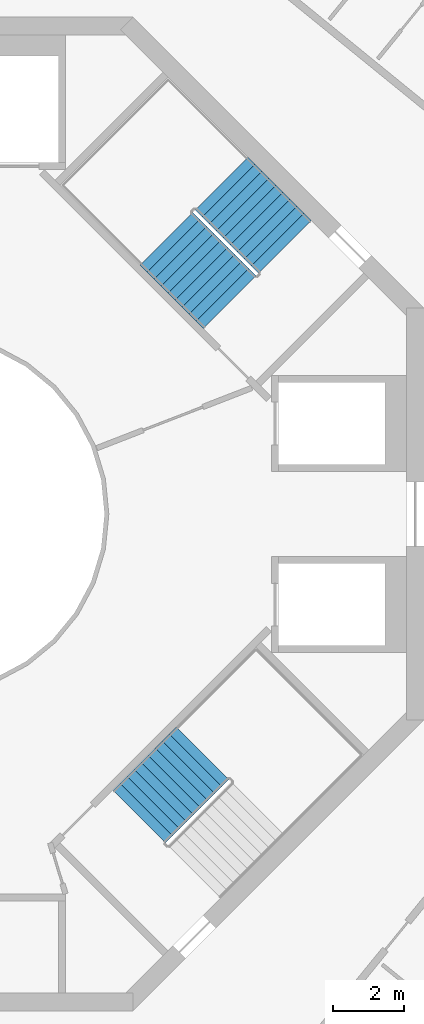
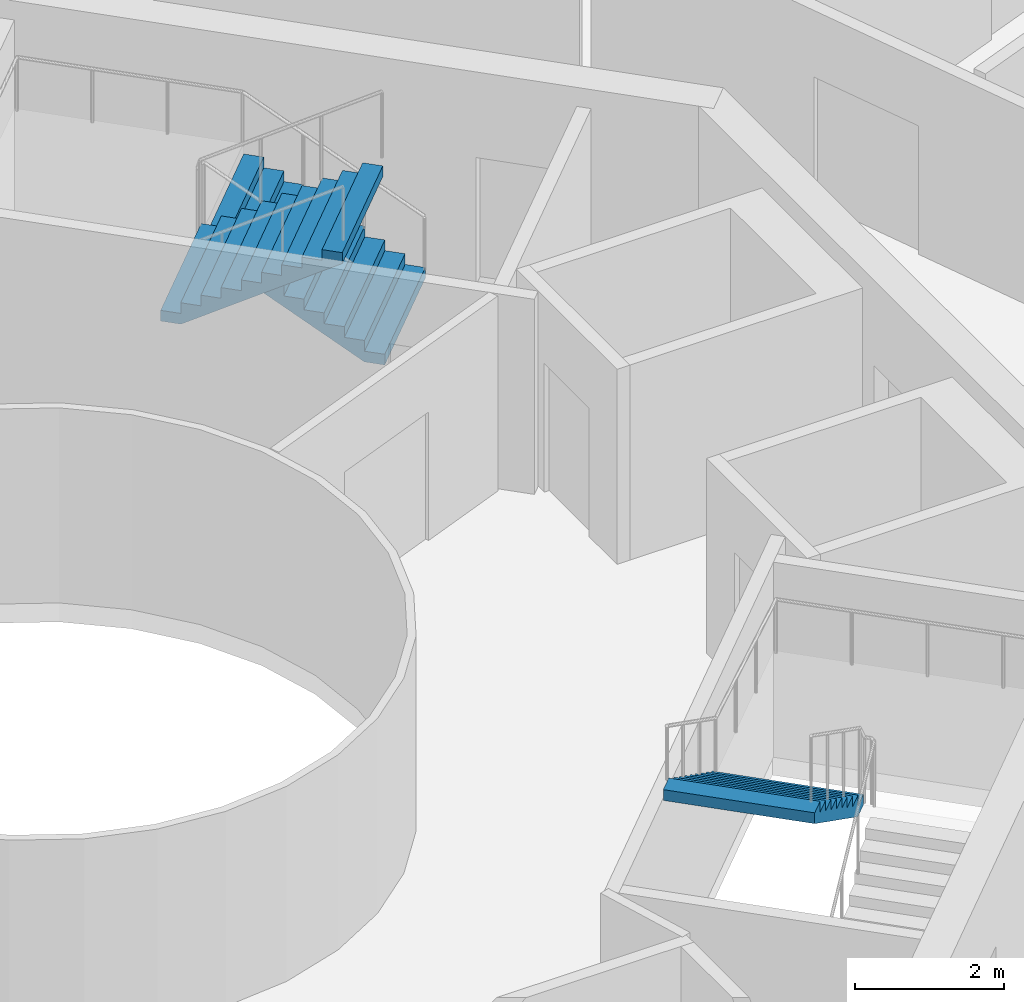
# One storey, part 22 of 23: 3 stair flights, 2 elements without a shape of their own.
"""IFC4 building model written with IfcOpenShell, lengths in metres."""

from ifc_helpers import new_model, si_unit, direction, frame, origin, place, context, subcontext, project, spatial, triangles, material, type_object, element, aggregate, save


model = new_model("IFC4")

# Units and contexts
model_context = context("Model", 3, precision=1e-05, world=origin(), true_north=direction((0.0, 1.0)))
body_context = subcontext(model_context, "Body", "Model", "MODEL_VIEW")
ifc_project = project(units=[si_unit("LENGTHUNIT", "METRE"), si_unit("AREAUNIT", "SQUARE_METRE"), si_unit("VOLUMEUNIT", "CUBIC_METRE"), si_unit("PLANEANGLEUNIT", "RADIAN"), si_unit("MASSUNIT", "GRAM", prefix="KILO")], contexts=[model_context])

# Site, building, storey
site_placement = place(None, origin())
site = spatial("IfcSite", under=ifc_project, at=site_placement, CompositionType="ELEMENT")
building_placement = place(site_placement, origin())
building = spatial("IfcBuilding", under=site, at=building_placement, Name="Verdalira Terraces Hotel", CompositionType="ELEMENT")
storey_placement = place(building_placement, frame((0.0, 0.0, 241.0)))
storey = spatial("IfcBuildingStorey", under=building, at=storey_placement, Name="L59", CompositionType="ELEMENT", Elevation=241.0)

# Stair, stair flights
ifc_material_1 = material(Name="Concrete C40", Category="concrete")
stair_type = type_object("IfcStairType", Name="Core stair 20 risers 2100 mm wide", PredefinedType="HALF_TURN_STAIR", material=ifc_material_1)
stair_1_placement = place(storey_placement, origin())
stair_1 = element("IfcStair", 1, at=stair_1_placement, inside=storey, type_object=stair_type, Name="L59 Exit stair ST1", PredefinedType="HALF_TURN_STAIR")
ifc_material_2 = material(Name="Concrete C40", Category="concrete")
stair_flight_type = type_object("IfcStairFlightType", Name="Core stair flight 20 risers 2100 mm wide", PredefinedType="STRAIGHT", material=ifc_material_2)
stair_flight_1_placement = place(storey_placement, frame((10.076172, 7.530762, 0.0), z_axis=(0.0, 0.0, 1.0), x_axis=(-0.707106781, 0.707106781, 0.0)))
stair_flight_1 = element("IfcStairFlight", 2, at=stair_flight_1_placement, type_object=stair_flight_type, Name="ST1 flight 1", NumberOfRisers=10, NumberOfTreads=9, PredefinedType="STRAIGHT", RiserHeight=0.175, TreadLength=0.28, context=body_context, shape_type="Tessellation", body=[
    triangles([(0.0, 1.050049, 0.0), (0.282715, 1.050049, 0.0), (2.52002, 1.050049, 1.398193), (0.0, -1.050049, 0.0), (0.282715, -1.050049, 0.0), (2.52002, -1.050049, 1.398193), (2.52002, 1.050049, 1.574951), (2.23999, 1.050049, 1.574951), (2.52002, -1.050049, 1.574951), (2.23999, -1.050049, 1.574951), (2.23999, 1.050049, 1.399902), (2.23999, -1.050049, 1.399902), (1.959961, 1.050049, 1.399902), (1.959961, -1.050049, 1.399902), (1.959961, 1.050049, 1.225098), (1.959961, -1.050049, 1.225098), (1.679932, 1.050049, 1.225098), (1.679932, 1.050049, 1.050049), (1.679932, -1.050049, 1.225098), (1.679932, -1.050049, 1.050049), (1.399902, 1.050049, 1.050049), (1.399902, 1.050049, 0.875), (1.399902, -1.050049, 1.050049), (1.399902, -1.050049, 0.875), (1.120117, 1.050049, 0.875), (1.120117, 1.050049, 0.699951), (1.120117, -1.050049, 0.875), (1.120117, -1.050049, 0.699951), (0.840088, 1.050049, 0.699951), (0.840088, 1.050049, 0.524902), (0.840088, -1.050049, 0.699951), (0.840088, -1.050049, 0.524902), (0.560059, 1.050049, 0.524902), (0.560059, 1.050049, 0.350098), (0.560059, -1.050049, 0.524902), (0.560059, -1.050049, 0.350098), (0.280029, 1.050049, 0.350098), (0.280029, 1.050049, 0.175049), (0.280029, -1.050049, 0.350098), (0.280029, -1.050049, 0.175049), (0.0, 1.050049, 0.175049), (0.0, -1.050049, 0.175049), (0.0, -0.984421, 0.0), (0.0, -0.984421, 0.175049), (0.0, -0.918793, 0.0), (0.0, -0.918793, 0.175049), (0.0, -0.853165, 0.0), (0.0, -0.853165, 0.175049), (0.0, -0.787537, 0.0), (0.0, -0.787537, 0.175049), (0.0, -0.721909, 0.0), (0.0, -0.721909, 0.175049), (0.0, -0.656281, 0.0), (0.0, -0.656281, 0.175049), (0.0, -0.590652, 0.0), (0.0, -0.590652, 0.175049), (0.0, -0.525024, 0.0), (0.0, -0.525024, 0.175049), (0.0, -0.459396, 0.0), (0.0, -0.459396, 0.175049), (0.0, -0.393768, 0.0), (0.0, -0.393768, 0.175049), (0.0, -0.32814, 0.0), (0.0, -0.32814, 0.175049), (0.0, -0.262512, 0.0), (0.0, -0.262512, 0.175049), (0.0, -0.196884, 0.0), (0.0, -0.196884, 0.175049), (0.0, -0.131256, 0.0), (0.0, -0.131256, 0.175049), (0.0, -0.065628, 0.0), (0.0, -0.065628, 0.175049), (0.0, 0.0, 0.0), (0.0, 0.0, 0.175049), (0.0, 0.065628, 0.0), (0.0, 0.065628, 0.175049), (0.0, 0.131256, 0.0), (0.0, 0.131256, 0.175049), (0.0, 0.196884, 0.0), (0.0, 0.196884, 0.175049), (0.0, 0.262512, 0.0), (0.0, 0.262512, 0.175049), (0.0, 0.32814, 0.0), (0.0, 0.32814, 0.175049), (0.0, 0.393768, 0.0), (0.0, 0.393768, 0.175049), (0.0, 0.459396, 0.0), (0.0, 0.459396, 0.175049), (0.0, 0.525024, 0.0), (0.0, 0.525024, 0.175049), (0.0, 0.590652, 0.0), (0.0, 0.590652, 0.175049), (0.0, 0.656281, 0.0), (0.0, 0.656281, 0.175049), (0.0, 0.721909, 0.0), (0.0, 0.721909, 0.175049), (0.0, 0.787537, 0.0), (0.0, 0.787537, 0.175049), (0.0, 0.853165, 0.0), (0.0, 0.853165, 0.175049), (0.0, 0.918793, 0.0), (0.0, 0.918793, 0.175049), (0.0, 0.984421, 0.0), (0.0, 0.984421, 0.175049), (2.52002, -0.984421, 1.574951), (2.52002, -0.918793, 1.574951), (2.52002, -0.853165, 1.574951), (2.52002, -0.787537, 1.574951), (2.52002, -0.721909, 1.574951), (2.52002, -0.656281, 1.574951), (2.52002, -0.590652, 1.574951), (2.52002, -0.525024, 1.574951), (2.52002, -0.459396, 1.574951), (2.52002, -0.393768, 1.574951), (2.52002, -0.32814, 1.574951), (2.52002, -0.262512, 1.574951), (2.52002, -0.196884, 1.574951), (2.52002, -0.131256, 1.574951), (2.52002, -0.065628, 1.574951), (2.52002, 0.0, 1.574951), (2.52002, 0.065628, 1.574951), (2.52002, 0.131256, 1.574951), (2.52002, 0.196884, 1.574951), (2.52002, 0.262512, 1.574951), (2.52002, 0.32814, 1.574951), (2.52002, 0.393768, 1.574951), (2.52002, 0.459396, 1.574951), (2.52002, 0.525024, 1.574951), (2.52002, 0.590652, 1.574951), (2.52002, 0.656281, 1.574951), (2.52002, 0.721909, 1.574951), (2.52002, 0.787537, 1.574951), (2.52002, 0.853165, 1.574951), (2.52002, 0.918793, 1.574951), (2.52002, 0.984421, 1.574951), (2.52002, -0.984421, 1.398193), (2.52002, -0.918793, 1.398193), (2.52002, -0.853165, 1.398193), (2.52002, -0.787537, 1.398193), (2.52002, -0.721909, 1.398193), (2.52002, -0.656281, 1.398193), (2.52002, -0.590652, 1.398193), (2.52002, -0.525024, 1.398193), (2.52002, -0.459396, 1.398193), (2.52002, -0.393768, 1.398193), (2.52002, -0.32814, 1.398193), (2.52002, -0.262512, 1.398193), (2.52002, -0.196884, 1.398193), (2.52002, -0.131256, 1.398193), (2.52002, -0.065628, 1.398193), (2.52002, 0.0, 1.398193), (2.52002, 0.065628, 1.398193), (2.52002, 0.131256, 1.398193), (2.52002, 0.196884, 1.398193), (2.52002, 0.262512, 1.398193), (2.52002, 0.32814, 1.398193), (2.52002, 0.393768, 1.398193), (2.52002, 0.459396, 1.398193), (2.52002, 0.525024, 1.398193), (2.52002, 0.590652, 1.398193), (2.52002, 0.656281, 1.398193), (2.52002, 0.721909, 1.398193), (2.52002, 0.787537, 1.398193), (2.52002, 0.853165, 1.398193), (2.52002, 0.918793, 1.398193), (2.52002, 0.984421, 1.398193)], [[1, 3, 2], [4, 5, 6], [3, 8, 7], [6, 9, 10], [3, 11, 8], [6, 10, 12], [3, 13, 11], [6, 12, 14], [3, 15, 13], [6, 14, 16], [15, 18, 17], [16, 19, 20], [3, 18, 15], [6, 16, 20], [18, 22, 21], [20, 23, 24], [3, 22, 18], [6, 20, 24], [22, 26, 25], [24, 27, 28], [3, 26, 22], [6, 24, 28], [26, 30, 29], [28, 31, 32], [3, 30, 26], [6, 28, 32], [1, 30, 3], [4, 6, 32], [30, 34, 33], [32, 35, 36], [34, 38, 37], [36, 39, 40], [30, 38, 34], [32, 36, 40], [1, 38, 30], [4, 32, 40], [38, 1, 41], [40, 42, 4], [4, 44, 43], [4, 42, 44], [43, 46, 45], [43, 44, 46], [45, 48, 47], [45, 46, 48], [47, 50, 49], [47, 48, 50], [49, 52, 51], [49, 50, 52], [51, 54, 53], [51, 52, 54], [53, 56, 55], [53, 54, 56], [55, 58, 57], [55, 56, 58], [57, 60, 59], [57, 58, 60], [59, 62, 61], [59, 60, 62], [61, 64, 63], [61, 62, 64], [63, 66, 65], [63, 64, 66], [65, 68, 67], [65, 66, 68], [67, 70, 69], [67, 68, 70], [69, 72, 71], [69, 70, 72], [71, 74, 73], [71, 72, 74], [73, 76, 75], [73, 74, 76], [75, 78, 77], [75, 76, 78], [77, 80, 79], [77, 78, 80], [79, 82, 81], [79, 80, 82], [81, 84, 83], [81, 82, 84], [83, 86, 85], [83, 84, 86], [85, 88, 87], [85, 86, 88], [87, 90, 89], [87, 88, 90], [89, 92, 91], [89, 90, 92], [91, 94, 93], [91, 92, 94], [93, 96, 95], [93, 94, 96], [95, 98, 97], [95, 96, 98], [97, 100, 99], [97, 98, 100], [99, 102, 101], [99, 100, 102], [101, 104, 103], [101, 102, 104], [103, 41, 1], [103, 104, 41], [42, 40, 44], [44, 40, 46], [46, 40, 48], [48, 40, 50], [50, 40, 52], [52, 40, 54], [54, 40, 56], [56, 40, 58], [58, 40, 60], [60, 40, 62], [62, 40, 64], [64, 40, 66], [66, 40, 68], [68, 40, 70], [70, 40, 72], [72, 40, 74], [74, 40, 76], [76, 40, 78], [78, 40, 80], [80, 40, 82], [82, 40, 84], [84, 40, 86], [86, 40, 88], [88, 40, 90], [90, 40, 92], [92, 40, 94], [94, 40, 96], [96, 40, 98], [98, 40, 100], [100, 40, 102], [102, 40, 104], [104, 40, 41], [41, 40, 38], [40, 37, 38], [40, 39, 37], [39, 34, 37], [39, 36, 34], [36, 33, 34], [36, 35, 33], [35, 30, 33], [35, 32, 30], [32, 29, 30], [32, 31, 29], [31, 26, 29], [31, 28, 26], [28, 25, 26], [28, 27, 25], [27, 22, 25], [27, 24, 22], [24, 21, 22], [24, 23, 21], [23, 18, 21], [23, 20, 18], [20, 17, 18], [20, 19, 17], [19, 15, 17], [19, 16, 15], [16, 13, 15], [16, 14, 13], [14, 11, 13], [14, 12, 11], [12, 8, 11], [12, 10, 8], [9, 105, 10], [105, 106, 10], [106, 107, 10], [107, 108, 10], [108, 109, 10], [109, 110, 10], [110, 111, 10], [111, 112, 10], [112, 113, 10], [113, 114, 10], [114, 115, 10], [115, 116, 10], [116, 117, 10], [117, 118, 10], [118, 119, 10], [119, 120, 10], [120, 121, 10], [121, 122, 10], [122, 123, 10], [123, 124, 10], [124, 125, 10], [125, 126, 10], [126, 127, 10], [127, 128, 10], [128, 129, 10], [129, 130, 10], [130, 131, 10], [131, 132, 10], [132, 133, 10], [133, 134, 10], [134, 135, 10], [135, 7, 10], [7, 8, 10], [9, 136, 105], [9, 6, 136], [105, 137, 106], [105, 136, 137], [106, 138, 107], [106, 137, 138], [107, 139, 108], [107, 138, 139], [108, 140, 109], [108, 139, 140], [109, 141, 110], [109, 140, 141], [110, 142, 111], [110, 141, 142], [111, 143, 112], [111, 142, 143], [112, 144, 113], [112, 143, 144], [113, 145, 114], [113, 144, 145], [114, 146, 115], [114, 145, 146], [115, 147, 116], [115, 146, 147], [116, 148, 117], [116, 147, 148], [117, 149, 118], [117, 148, 149], [118, 150, 119], [118, 149, 150], [119, 151, 120], [119, 150, 151], [120, 152, 121], [120, 151, 152], [121, 153, 122], [121, 152, 153], [122, 154, 123], [122, 153, 154], [123, 155, 124], [123, 154, 155], [124, 156, 125], [124, 155, 156], [125, 157, 126], [125, 156, 157], [126, 158, 127], [126, 157, 158], [127, 159, 128], [127, 158, 159], [128, 160, 129], [128, 159, 160], [129, 161, 130], [129, 160, 161], [130, 162, 131], [130, 161, 162], [131, 163, 132], [131, 162, 163], [132, 164, 133], [132, 163, 164], [133, 165, 134], [133, 164, 165], [134, 166, 135], [134, 165, 166], [135, 3, 7], [135, 166, 3], [6, 5, 136], [136, 5, 137], [137, 5, 138], [138, 5, 139], [139, 5, 140], [140, 5, 141], [141, 5, 142], [142, 5, 143], [143, 5, 144], [144, 5, 145], [145, 5, 146], [146, 5, 147], [147, 5, 148], [148, 5, 149], [149, 5, 150], [150, 5, 151], [151, 5, 152], [152, 5, 153], [153, 5, 154], [154, 5, 155], [155, 5, 156], [156, 5, 157], [157, 5, 158], [158, 5, 159], [159, 5, 160], [160, 5, 161], [161, 5, 162], [162, 5, 163], [163, 5, 164], [164, 5, 165], [165, 5, 166], [166, 5, 3], [3, 5, 2], [4, 43, 5], [43, 45, 5], [45, 47, 5], [47, 49, 5], [49, 51, 5], [51, 53, 5], [53, 55, 5], [55, 57, 5], [57, 59, 5], [59, 61, 5], [61, 63, 5], [63, 65, 5], [65, 67, 5], [67, 69, 5], [69, 71, 5], [71, 73, 5], [73, 75, 5], [75, 77, 5], [77, 79, 5], [79, 81, 5], [81, 83, 5], [83, 85, 5], [85, 87, 5], [87, 89, 5], [89, 91, 5], [91, 93, 5], [93, 95, 5], [95, 97, 5], [97, 99, 5], [99, 101, 5], [101, 103, 5], [103, 1, 5], [1, 2, 5]], closed=True),
])
stair_flight_2_placement = place(storey_placement, frame((6.73877, 7.75708, 1.75), z_axis=(0.0, 0.0, 1.0), x_axis=(0.707106781, -0.707106781, 0.0)))
stair_flight_2 = element("IfcStairFlight", 3, at=stair_flight_2_placement, type_object=stair_flight_type, Name="ST1 flight 2", NumberOfRisers=10, NumberOfTreads=9, PredefinedType="STRAIGHT", RiserHeight=0.175, TreadLength=0.28, context=body_context, shape_type="Tessellation", body=[
    triangles([(0.0, 1.050049, 0.0), (0.282715, 1.050049, 0.0), (2.52002, 1.050049, 1.398193), (0.0, -1.050049, 0.0), (0.282715, -1.050049, 0.0), (2.52002, -1.050049, 1.398193), (2.52002, 1.050049, 1.574951), (2.23999, 1.050049, 1.574951), (2.52002, -1.050049, 1.574951), (2.23999, -1.050049, 1.574951), (2.23999, 1.050049, 1.399902), (2.23999, -1.050049, 1.399902), (1.959961, 1.050049, 1.399902), (1.959961, -1.050049, 1.399902), (1.959961, 1.050049, 1.225098), (1.959961, -1.050049, 1.225098), (1.679932, 1.050049, 1.225098), (1.679932, 1.050049, 1.050049), (1.679932, -1.050049, 1.225098), (1.679932, -1.050049, 1.050049), (1.399902, 1.050049, 1.050049), (1.399902, 1.050049, 0.875), (1.399902, -1.050049, 1.050049), (1.399902, -1.050049, 0.875), (1.120117, 1.050049, 0.875), (1.120117, 1.050049, 0.699951), (1.120117, -1.050049, 0.875), (1.120117, -1.050049, 0.699951), (0.840088, 1.050049, 0.699951), (0.840088, 1.050049, 0.524902), (0.840088, -1.050049, 0.699951), (0.840088, -1.050049, 0.524902), (0.560059, 1.050049, 0.524902), (0.560059, 1.050049, 0.350098), (0.560059, -1.050049, 0.524902), (0.560059, -1.050049, 0.350098), (0.280029, 1.050049, 0.350098), (0.280029, 1.050049, 0.175049), (0.280029, -1.050049, 0.350098), (0.280029, -1.050049, 0.175049), (0.0, 1.050049, 0.175049), (0.0, -1.050049, 0.175049), (0.0, -0.984421, 0.0), (0.0, -0.984421, 0.175049), (0.0, -0.918793, 0.0), (0.0, -0.918793, 0.175049), (0.0, -0.853165, 0.0), (0.0, -0.853165, 0.175049), (0.0, -0.787537, 0.0), (0.0, -0.787537, 0.175049), (0.0, -0.721909, 0.0), (0.0, -0.721909, 0.175049), (0.0, -0.656281, 0.0), (0.0, -0.656281, 0.175049), (0.0, -0.590652, 0.0), (0.0, -0.590652, 0.175049), (0.0, -0.525024, 0.0), (0.0, -0.525024, 0.175049), (0.0, -0.459396, 0.0), (0.0, -0.459396, 0.175049), (0.0, -0.393768, 0.0), (0.0, -0.393768, 0.175049), (0.0, -0.32814, 0.0), (0.0, -0.32814, 0.175049), (0.0, -0.262512, 0.0), (0.0, -0.262512, 0.175049), (0.0, -0.196884, 0.0), (0.0, -0.196884, 0.175049), (0.0, -0.131256, 0.0), (0.0, -0.131256, 0.175049), (0.0, -0.065628, 0.0), (0.0, -0.065628, 0.175049), (0.0, 0.0, 0.0), (0.0, 0.0, 0.175049), (0.0, 0.065628, 0.0), (0.0, 0.065628, 0.175049), (0.0, 0.131256, 0.0), (0.0, 0.131256, 0.175049), (0.0, 0.196884, 0.0), (0.0, 0.196884, 0.175049), (0.0, 0.262512, 0.0), (0.0, 0.262512, 0.175049), (0.0, 0.32814, 0.0), (0.0, 0.32814, 0.175049), (0.0, 0.393768, 0.0), (0.0, 0.393768, 0.175049), (0.0, 0.459396, 0.0), (0.0, 0.459396, 0.175049), (0.0, 0.525024, 0.0), (0.0, 0.525024, 0.175049), (0.0, 0.590652, 0.0), (0.0, 0.590652, 0.175049), (0.0, 0.656281, 0.0), (0.0, 0.656281, 0.175049), (0.0, 0.721909, 0.0), (0.0, 0.721909, 0.175049), (0.0, 0.787537, 0.0), (0.0, 0.787537, 0.175049), (0.0, 0.853165, 0.0), (0.0, 0.853165, 0.175049), (0.0, 0.918793, 0.0), (0.0, 0.918793, 0.175049), (0.0, 0.984421, 0.0), (0.0, 0.984421, 0.175049), (2.52002, -0.984421, 1.574951), (2.52002, -0.918793, 1.574951), (2.52002, -0.853165, 1.574951), (2.52002, -0.787537, 1.574951), (2.52002, -0.721909, 1.574951), (2.52002, -0.656281, 1.574951), (2.52002, -0.590652, 1.574951), (2.52002, -0.525024, 1.574951), (2.52002, -0.459396, 1.574951), (2.52002, -0.393768, 1.574951), (2.52002, -0.32814, 1.574951), (2.52002, -0.262512, 1.574951), (2.52002, -0.196884, 1.574951), (2.52002, -0.131256, 1.574951), (2.52002, -0.065628, 1.574951), (2.52002, 0.0, 1.574951), (2.52002, 0.065628, 1.574951), (2.52002, 0.131256, 1.574951), (2.52002, 0.196884, 1.574951), (2.52002, 0.262512, 1.574951), (2.52002, 0.32814, 1.574951), (2.52002, 0.393768, 1.574951), (2.52002, 0.459396, 1.574951), (2.52002, 0.525024, 1.574951), (2.52002, 0.590652, 1.574951), (2.52002, 0.656281, 1.574951), (2.52002, 0.721909, 1.574951), (2.52002, 0.787537, 1.574951), (2.52002, 0.853165, 1.574951), (2.52002, 0.918793, 1.574951), (2.52002, 0.984421, 1.574951), (2.52002, -0.984421, 1.398193), (2.52002, -0.918793, 1.398193), (2.52002, -0.853165, 1.398193), (2.52002, -0.787537, 1.398193), (2.52002, -0.721909, 1.398193), (2.52002, -0.656281, 1.398193), (2.52002, -0.590652, 1.398193), (2.52002, -0.525024, 1.398193), (2.52002, -0.459396, 1.398193), (2.52002, -0.393768, 1.398193), (2.52002, -0.32814, 1.398193), (2.52002, -0.262512, 1.398193), (2.52002, -0.196884, 1.398193), (2.52002, -0.131256, 1.398193), (2.52002, -0.065628, 1.398193), (2.52002, 0.0, 1.398193), (2.52002, 0.065628, 1.398193), (2.52002, 0.131256, 1.398193), (2.52002, 0.196884, 1.398193), (2.52002, 0.262512, 1.398193), (2.52002, 0.32814, 1.398193), (2.52002, 0.393768, 1.398193), (2.52002, 0.459396, 1.398193), (2.52002, 0.525024, 1.398193), (2.52002, 0.590652, 1.398193), (2.52002, 0.656281, 1.398193), (2.52002, 0.721909, 1.398193), (2.52002, 0.787537, 1.398193), (2.52002, 0.853165, 1.398193), (2.52002, 0.918793, 1.398193), (2.52002, 0.984421, 1.398193)], [[1, 3, 2], [4, 5, 6], [3, 8, 7], [6, 9, 10], [3, 11, 8], [6, 10, 12], [3, 13, 11], [6, 12, 14], [3, 15, 13], [6, 14, 16], [15, 18, 17], [16, 19, 20], [3, 18, 15], [6, 16, 20], [18, 22, 21], [20, 23, 24], [3, 22, 18], [6, 20, 24], [22, 26, 25], [24, 27, 28], [3, 26, 22], [6, 24, 28], [26, 30, 29], [28, 31, 32], [3, 30, 26], [6, 28, 32], [1, 30, 3], [4, 6, 32], [30, 34, 33], [32, 35, 36], [34, 38, 37], [36, 39, 40], [30, 38, 34], [32, 36, 40], [1, 38, 30], [4, 32, 40], [38, 1, 41], [40, 42, 4], [4, 44, 43], [4, 42, 44], [43, 46, 45], [43, 44, 46], [45, 48, 47], [45, 46, 48], [47, 50, 49], [47, 48, 50], [49, 52, 51], [49, 50, 52], [51, 54, 53], [51, 52, 54], [53, 56, 55], [53, 54, 56], [55, 58, 57], [55, 56, 58], [57, 60, 59], [57, 58, 60], [59, 62, 61], [59, 60, 62], [61, 64, 63], [61, 62, 64], [63, 66, 65], [63, 64, 66], [65, 68, 67], [65, 66, 68], [67, 70, 69], [67, 68, 70], [69, 72, 71], [69, 70, 72], [71, 74, 73], [71, 72, 74], [73, 76, 75], [73, 74, 76], [75, 78, 77], [75, 76, 78], [77, 80, 79], [77, 78, 80], [79, 82, 81], [79, 80, 82], [81, 84, 83], [81, 82, 84], [83, 86, 85], [83, 84, 86], [85, 88, 87], [85, 86, 88], [87, 90, 89], [87, 88, 90], [89, 92, 91], [89, 90, 92], [91, 94, 93], [91, 92, 94], [93, 96, 95], [93, 94, 96], [95, 98, 97], [95, 96, 98], [97, 100, 99], [97, 98, 100], [99, 102, 101], [99, 100, 102], [101, 104, 103], [101, 102, 104], [103, 41, 1], [103, 104, 41], [42, 40, 44], [44, 40, 46], [46, 40, 48], [48, 40, 50], [50, 40, 52], [52, 40, 54], [54, 40, 56], [56, 40, 58], [58, 40, 60], [60, 40, 62], [62, 40, 64], [64, 40, 66], [66, 40, 68], [68, 40, 70], [70, 40, 72], [72, 40, 74], [74, 40, 76], [76, 40, 78], [78, 40, 80], [80, 40, 82], [82, 40, 84], [84, 40, 86], [86, 40, 88], [88, 40, 90], [90, 40, 92], [92, 40, 94], [94, 40, 96], [96, 40, 98], [98, 40, 100], [100, 40, 102], [102, 40, 104], [104, 40, 41], [41, 40, 38], [40, 37, 38], [40, 39, 37], [39, 34, 37], [39, 36, 34], [36, 33, 34], [36, 35, 33], [35, 30, 33], [35, 32, 30], [32, 29, 30], [32, 31, 29], [31, 26, 29], [31, 28, 26], [28, 25, 26], [28, 27, 25], [27, 22, 25], [27, 24, 22], [24, 21, 22], [24, 23, 21], [23, 18, 21], [23, 20, 18], [20, 17, 18], [20, 19, 17], [19, 15, 17], [19, 16, 15], [16, 13, 15], [16, 14, 13], [14, 11, 13], [14, 12, 11], [12, 8, 11], [12, 10, 8], [9, 105, 10], [105, 106, 10], [106, 107, 10], [107, 108, 10], [108, 109, 10], [109, 110, 10], [110, 111, 10], [111, 112, 10], [112, 113, 10], [113, 114, 10], [114, 115, 10], [115, 116, 10], [116, 117, 10], [117, 118, 10], [118, 119, 10], [119, 120, 10], [120, 121, 10], [121, 122, 10], [122, 123, 10], [123, 124, 10], [124, 125, 10], [125, 126, 10], [126, 127, 10], [127, 128, 10], [128, 129, 10], [129, 130, 10], [130, 131, 10], [131, 132, 10], [132, 133, 10], [133, 134, 10], [134, 135, 10], [135, 7, 10], [7, 8, 10], [9, 136, 105], [9, 6, 136], [105, 137, 106], [105, 136, 137], [106, 138, 107], [106, 137, 138], [107, 139, 108], [107, 138, 139], [108, 140, 109], [108, 139, 140], [109, 141, 110], [109, 140, 141], [110, 142, 111], [110, 141, 142], [111, 143, 112], [111, 142, 143], [112, 144, 113], [112, 143, 144], [113, 145, 114], [113, 144, 145], [114, 146, 115], [114, 145, 146], [115, 147, 116], [115, 146, 147], [116, 148, 117], [116, 147, 148], [117, 149, 118], [117, 148, 149], [118, 150, 119], [118, 149, 150], [119, 151, 120], [119, 150, 151], [120, 152, 121], [120, 151, 152], [121, 153, 122], [121, 152, 153], [122, 154, 123], [122, 153, 154], [123, 155, 124], [123, 154, 155], [124, 156, 125], [124, 155, 156], [125, 157, 126], [125, 156, 157], [126, 158, 127], [126, 157, 158], [127, 159, 128], [127, 158, 159], [128, 160, 129], [128, 159, 160], [129, 161, 130], [129, 160, 161], [130, 162, 131], [130, 161, 162], [131, 163, 132], [131, 162, 163], [132, 164, 133], [132, 163, 164], [133, 165, 134], [133, 164, 165], [134, 166, 135], [134, 165, 166], [135, 3, 7], [135, 166, 3], [6, 5, 136], [136, 5, 137], [137, 5, 138], [138, 5, 139], [139, 5, 140], [140, 5, 141], [141, 5, 142], [142, 5, 143], [143, 5, 144], [144, 5, 145], [145, 5, 146], [146, 5, 147], [147, 5, 148], [148, 5, 149], [149, 5, 150], [150, 5, 151], [151, 5, 152], [152, 5, 153], [153, 5, 154], [154, 5, 155], [155, 5, 156], [156, 5, 157], [157, 5, 158], [158, 5, 159], [159, 5, 160], [160, 5, 161], [161, 5, 162], [162, 5, 163], [163, 5, 164], [164, 5, 165], [165, 5, 166], [166, 5, 3], [3, 5, 2], [4, 43, 5], [43, 45, 5], [45, 47, 5], [47, 49, 5], [49, 51, 5], [51, 53, 5], [53, 55, 5], [55, 57, 5], [57, 59, 5], [59, 61, 5], [61, 63, 5], [63, 65, 5], [65, 67, 5], [67, 69, 5], [69, 71, 5], [71, 73, 5], [73, 75, 5], [75, 77, 5], [77, 79, 5], [79, 81, 5], [81, 83, 5], [83, 85, 5], [85, 87, 5], [87, 89, 5], [89, 91, 5], [91, 93, 5], [93, 95, 5], [95, 97, 5], [97, 99, 5], [99, 101, 5], [101, 103, 5], [103, 1, 5], [1, 2, 5]], closed=True),
])
aggregate(stair_1, [stair_flight_1, stair_flight_2])

# Stair, stair flight
stair_2_placement = place(storey_placement, origin())
stair_2 = element("IfcStair", 4, at=stair_2_placement, inside=storey, type_object=stair_type, Name="L59 Exit stair ST3", PredefinedType="HALF_TURN_STAIR")
stair_flight_3_placement = place(storey_placement, frame((7.75708, -6.73877, 1.75), z_axis=(0.0, 0.0, 1.0), x_axis=(-0.707106781, -0.707106781, 0.0)))
stair_flight_3 = element("IfcStairFlight", 5, at=stair_flight_3_placement, type_object=stair_flight_type, Name="ST3 flight 2", NumberOfRisers=10, NumberOfTreads=9, PredefinedType="STRAIGHT", RiserHeight=0.175, TreadLength=0.28, context=body_context, shape_type="Tessellation", body=[
    triangles([(0.0, 1.050049, 0.0), (0.282715, 1.050049, 0.0), (2.52002, 1.050049, 1.398193), (0.0, -1.050049, 0.0), (0.282715, -1.050049, 0.0), (2.52002, -1.050049, 1.398193), (2.52002, 1.050049, 1.574951), (2.23999, 1.050049, 1.574951), (2.52002, -1.050049, 1.574951), (2.23999, -1.050049, 1.574951), (2.23999, 1.050049, 1.399902), (2.23999, -1.050049, 1.399902), (1.959961, 1.050049, 1.399902), (1.959961, -1.050049, 1.399902), (1.959961, 1.050049, 1.225098), (1.959961, -1.050049, 1.225098), (1.679932, 1.050049, 1.225098), (1.679932, 1.050049, 1.050049), (1.679932, -1.050049, 1.225098), (1.679932, -1.050049, 1.050049), (1.399902, 1.050049, 1.050049), (1.399902, 1.050049, 0.875), (1.399902, -1.050049, 1.050049), (1.399902, -1.050049, 0.875), (1.120117, 1.050049, 0.875), (1.120117, 1.050049, 0.699951), (1.120117, -1.050049, 0.875), (1.120117, -1.050049, 0.699951), (0.840088, 1.050049, 0.699951), (0.840088, 1.050049, 0.524902), (0.840088, -1.050049, 0.699951), (0.840088, -1.050049, 0.524902), (0.560059, 1.050049, 0.524902), (0.560059, 1.050049, 0.350098), (0.560059, -1.050049, 0.524902), (0.560059, -1.050049, 0.350098), (0.280029, 1.050049, 0.350098), (0.280029, 1.050049, 0.175049), (0.280029, -1.050049, 0.350098), (0.280029, -1.050049, 0.175049), (0.0, 1.050049, 0.175049), (0.0, -1.050049, 0.175049), (0.0, -0.984421, 0.0), (0.0, -0.984421, 0.175049), (0.0, -0.918793, 0.0), (0.0, -0.918793, 0.175049), (0.0, -0.853165, 0.0), (0.0, -0.853165, 0.175049), (0.0, -0.787537, 0.0), (0.0, -0.787537, 0.175049), (0.0, -0.721909, 0.0), (0.0, -0.721909, 0.175049), (0.0, -0.656281, 0.0), (0.0, -0.656281, 0.175049), (0.0, -0.590652, 0.0), (0.0, -0.590652, 0.175049), (0.0, -0.525024, 0.0), (0.0, -0.525024, 0.175049), (0.0, -0.459396, 0.0), (0.0, -0.459396, 0.175049), (0.0, -0.393768, 0.0), (0.0, -0.393768, 0.175049), (0.0, -0.32814, 0.0), (0.0, -0.32814, 0.175049), (0.0, -0.262512, 0.0), (0.0, -0.262512, 0.175049), (0.0, -0.196884, 0.0), (0.0, -0.196884, 0.175049), (0.0, -0.131256, 0.0), (0.0, -0.131256, 0.175049), (0.0, -0.065628, 0.0), (0.0, -0.065628, 0.175049), (0.0, 0.0, 0.0), (0.0, 0.0, 0.175049), (0.0, 0.065628, 0.0), (0.0, 0.065628, 0.175049), (0.0, 0.131256, 0.0), (0.0, 0.131256, 0.175049), (0.0, 0.196884, 0.0), (0.0, 0.196884, 0.175049), (0.0, 0.262512, 0.0), (0.0, 0.262512, 0.175049), (0.0, 0.32814, 0.0), (0.0, 0.32814, 0.175049), (0.0, 0.393768, 0.0), (0.0, 0.393768, 0.175049), (0.0, 0.459396, 0.0), (0.0, 0.459396, 0.175049), (0.0, 0.525024, 0.0), (0.0, 0.525024, 0.175049), (0.0, 0.590652, 0.0), (0.0, 0.590652, 0.175049), (0.0, 0.656281, 0.0), (0.0, 0.656281, 0.175049), (0.0, 0.721909, 0.0), (0.0, 0.721909, 0.175049), (0.0, 0.787537, 0.0), (0.0, 0.787537, 0.175049), (0.0, 0.853165, 0.0), (0.0, 0.853165, 0.175049), (0.0, 0.918793, 0.0), (0.0, 0.918793, 0.175049), (0.0, 0.984421, 0.0), (0.0, 0.984421, 0.175049), (2.52002, -0.984421, 1.574951), (2.52002, -0.918793, 1.574951), (2.52002, -0.853165, 1.574951), (2.52002, -0.787537, 1.574951), (2.52002, -0.721909, 1.574951), (2.52002, -0.656281, 1.574951), (2.52002, -0.590652, 1.574951), (2.52002, -0.525024, 1.574951), (2.52002, -0.459396, 1.574951), (2.52002, -0.393768, 1.574951), (2.52002, -0.32814, 1.574951), (2.52002, -0.262512, 1.574951), (2.52002, -0.196884, 1.574951), (2.52002, -0.131256, 1.574951), (2.52002, -0.065628, 1.574951), (2.52002, 0.0, 1.574951), (2.52002, 0.065628, 1.574951), (2.52002, 0.131256, 1.574951), (2.52002, 0.196884, 1.574951), (2.52002, 0.262512, 1.574951), (2.52002, 0.32814, 1.574951), (2.52002, 0.393768, 1.574951), (2.52002, 0.459396, 1.574951), (2.52002, 0.525024, 1.574951), (2.52002, 0.590652, 1.574951), (2.52002, 0.656281, 1.574951), (2.52002, 0.721909, 1.574951), (2.52002, 0.787537, 1.574951), (2.52002, 0.853165, 1.574951), (2.52002, 0.918793, 1.574951), (2.52002, 0.984421, 1.574951), (2.52002, -0.984421, 1.398193), (2.52002, -0.918793, 1.398193), (2.52002, -0.853165, 1.398193), (2.52002, -0.787537, 1.398193), (2.52002, -0.721909, 1.398193), (2.52002, -0.656281, 1.398193), (2.52002, -0.590652, 1.398193), (2.52002, -0.525024, 1.398193), (2.52002, -0.459396, 1.398193), (2.52002, -0.393768, 1.398193), (2.52002, -0.32814, 1.398193), (2.52002, -0.262512, 1.398193), (2.52002, -0.196884, 1.398193), (2.52002, -0.131256, 1.398193), (2.52002, -0.065628, 1.398193), (2.52002, 0.0, 1.398193), (2.52002, 0.065628, 1.398193), (2.52002, 0.131256, 1.398193), (2.52002, 0.196884, 1.398193), (2.52002, 0.262512, 1.398193), (2.52002, 0.32814, 1.398193), (2.52002, 0.393768, 1.398193), (2.52002, 0.459396, 1.398193), (2.52002, 0.525024, 1.398193), (2.52002, 0.590652, 1.398193), (2.52002, 0.656281, 1.398193), (2.52002, 0.721909, 1.398193), (2.52002, 0.787537, 1.398193), (2.52002, 0.853165, 1.398193), (2.52002, 0.918793, 1.398193), (2.52002, 0.984421, 1.398193)], [[1, 3, 2], [4, 5, 6], [3, 8, 7], [6, 9, 10], [3, 11, 8], [6, 10, 12], [3, 13, 11], [6, 12, 14], [3, 15, 13], [6, 14, 16], [15, 18, 17], [16, 19, 20], [3, 18, 15], [6, 16, 20], [18, 22, 21], [20, 23, 24], [3, 22, 18], [6, 20, 24], [22, 26, 25], [24, 27, 28], [3, 26, 22], [6, 24, 28], [26, 30, 29], [28, 31, 32], [3, 30, 26], [6, 28, 32], [1, 30, 3], [4, 6, 32], [30, 34, 33], [32, 35, 36], [34, 38, 37], [36, 39, 40], [30, 38, 34], [32, 36, 40], [1, 38, 30], [4, 32, 40], [38, 1, 41], [40, 42, 4], [4, 44, 43], [4, 42, 44], [43, 46, 45], [43, 44, 46], [45, 48, 47], [45, 46, 48], [47, 50, 49], [47, 48, 50], [49, 52, 51], [49, 50, 52], [51, 54, 53], [51, 52, 54], [53, 56, 55], [53, 54, 56], [55, 58, 57], [55, 56, 58], [57, 60, 59], [57, 58, 60], [59, 62, 61], [59, 60, 62], [61, 64, 63], [61, 62, 64], [63, 66, 65], [63, 64, 66], [65, 68, 67], [65, 66, 68], [67, 70, 69], [67, 68, 70], [69, 72, 71], [69, 70, 72], [71, 74, 73], [71, 72, 74], [73, 76, 75], [73, 74, 76], [75, 78, 77], [75, 76, 78], [77, 80, 79], [77, 78, 80], [79, 82, 81], [79, 80, 82], [81, 84, 83], [81, 82, 84], [83, 86, 85], [83, 84, 86], [85, 88, 87], [85, 86, 88], [87, 90, 89], [87, 88, 90], [89, 92, 91], [89, 90, 92], [91, 94, 93], [91, 92, 94], [93, 96, 95], [93, 94, 96], [95, 98, 97], [95, 96, 98], [97, 100, 99], [97, 98, 100], [99, 102, 101], [99, 100, 102], [101, 104, 103], [101, 102, 104], [103, 41, 1], [103, 104, 41], [42, 40, 44], [44, 40, 46], [46, 40, 48], [48, 40, 50], [50, 40, 52], [52, 40, 54], [54, 40, 56], [56, 40, 58], [58, 40, 60], [60, 40, 62], [62, 40, 64], [64, 40, 66], [66, 40, 68], [68, 40, 70], [70, 40, 72], [72, 40, 74], [74, 40, 76], [76, 40, 78], [78, 40, 80], [80, 40, 82], [82, 40, 84], [84, 40, 86], [86, 40, 88], [88, 40, 90], [90, 40, 92], [92, 40, 94], [94, 40, 96], [96, 40, 98], [98, 40, 100], [100, 40, 102], [102, 40, 104], [104, 40, 41], [41, 40, 38], [40, 37, 38], [40, 39, 37], [39, 34, 37], [39, 36, 34], [36, 33, 34], [36, 35, 33], [35, 30, 33], [35, 32, 30], [32, 29, 30], [32, 31, 29], [31, 26, 29], [31, 28, 26], [28, 25, 26], [28, 27, 25], [27, 22, 25], [27, 24, 22], [24, 21, 22], [24, 23, 21], [23, 18, 21], [23, 20, 18], [20, 17, 18], [20, 19, 17], [19, 15, 17], [19, 16, 15], [16, 13, 15], [16, 14, 13], [14, 11, 13], [14, 12, 11], [12, 8, 11], [12, 10, 8], [9, 105, 10], [105, 106, 10], [106, 107, 10], [107, 108, 10], [108, 109, 10], [109, 110, 10], [110, 111, 10], [111, 112, 10], [112, 113, 10], [113, 114, 10], [114, 115, 10], [115, 116, 10], [116, 117, 10], [117, 118, 10], [118, 119, 10], [119, 120, 10], [120, 121, 10], [121, 122, 10], [122, 123, 10], [123, 124, 10], [124, 125, 10], [125, 126, 10], [126, 127, 10], [127, 128, 10], [128, 129, 10], [129, 130, 10], [130, 131, 10], [131, 132, 10], [132, 133, 10], [133, 134, 10], [134, 135, 10], [135, 7, 10], [7, 8, 10], [9, 136, 105], [9, 6, 136], [105, 137, 106], [105, 136, 137], [106, 138, 107], [106, 137, 138], [107, 139, 108], [107, 138, 139], [108, 140, 109], [108, 139, 140], [109, 141, 110], [109, 140, 141], [110, 142, 111], [110, 141, 142], [111, 143, 112], [111, 142, 143], [112, 144, 113], [112, 143, 144], [113, 145, 114], [113, 144, 145], [114, 146, 115], [114, 145, 146], [115, 147, 116], [115, 146, 147], [116, 148, 117], [116, 147, 148], [117, 149, 118], [117, 148, 149], [118, 150, 119], [118, 149, 150], [119, 151, 120], [119, 150, 151], [120, 152, 121], [120, 151, 152], [121, 153, 122], [121, 152, 153], [122, 154, 123], [122, 153, 154], [123, 155, 124], [123, 154, 155], [124, 156, 125], [124, 155, 156], [125, 157, 126], [125, 156, 157], [126, 158, 127], [126, 157, 158], [127, 159, 128], [127, 158, 159], [128, 160, 129], [128, 159, 160], [129, 161, 130], [129, 160, 161], [130, 162, 131], [130, 161, 162], [131, 163, 132], [131, 162, 163], [132, 164, 133], [132, 163, 164], [133, 165, 134], [133, 164, 165], [134, 166, 135], [134, 165, 166], [135, 3, 7], [135, 166, 3], [6, 5, 136], [136, 5, 137], [137, 5, 138], [138, 5, 139], [139, 5, 140], [140, 5, 141], [141, 5, 142], [142, 5, 143], [143, 5, 144], [144, 5, 145], [145, 5, 146], [146, 5, 147], [147, 5, 148], [148, 5, 149], [149, 5, 150], [150, 5, 151], [151, 5, 152], [152, 5, 153], [153, 5, 154], [154, 5, 155], [155, 5, 156], [156, 5, 157], [157, 5, 158], [158, 5, 159], [159, 5, 160], [160, 5, 161], [161, 5, 162], [162, 5, 163], [163, 5, 164], [164, 5, 165], [165, 5, 166], [166, 5, 3], [3, 5, 2], [4, 43, 5], [43, 45, 5], [45, 47, 5], [47, 49, 5], [49, 51, 5], [51, 53, 5], [53, 55, 5], [55, 57, 5], [57, 59, 5], [59, 61, 5], [61, 63, 5], [63, 65, 5], [65, 67, 5], [67, 69, 5], [69, 71, 5], [71, 73, 5], [73, 75, 5], [75, 77, 5], [77, 79, 5], [79, 81, 5], [81, 83, 5], [83, 85, 5], [85, 87, 5], [87, 89, 5], [89, 91, 5], [91, 93, 5], [93, 95, 5], [95, 97, 5], [97, 99, 5], [99, 101, 5], [101, 103, 5], [103, 1, 5], [1, 2, 5]], closed=True),
])
aggregate(stair_2, [stair_flight_3])

save(model, "model.ifc")
